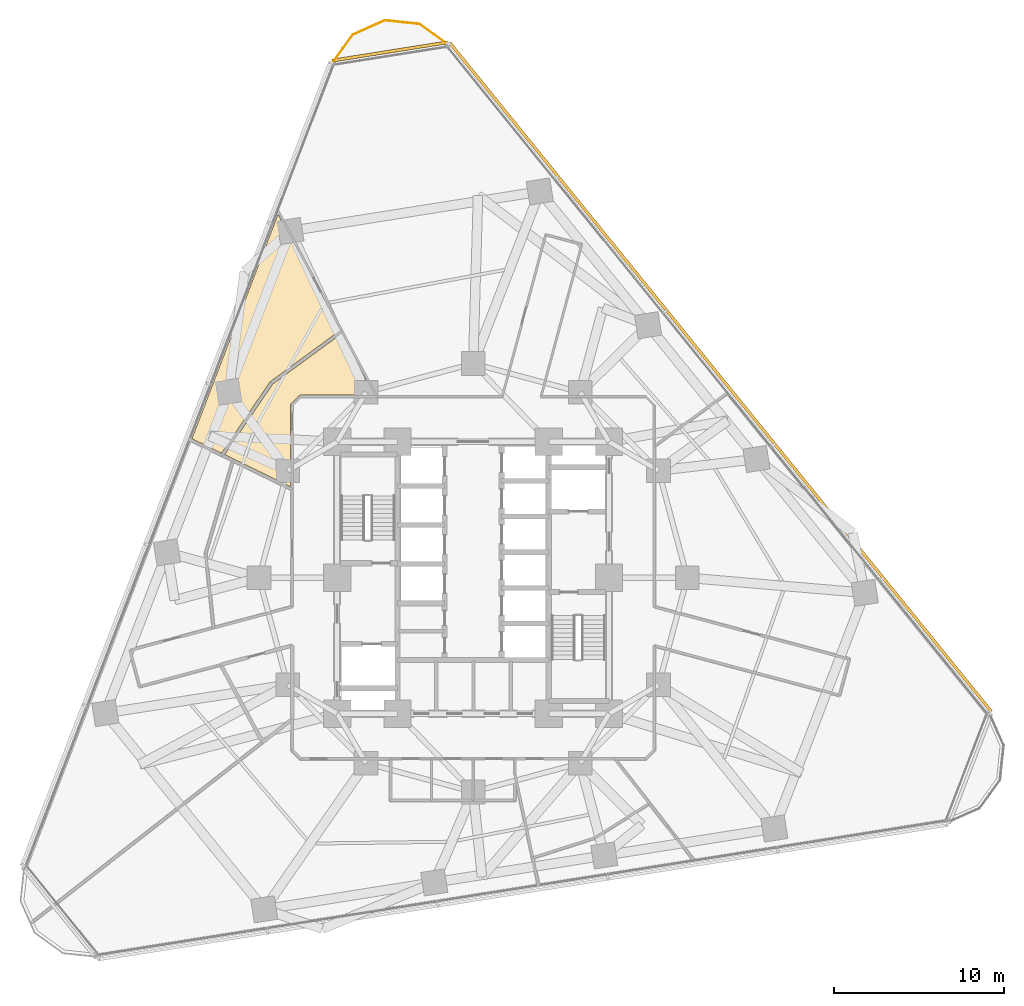
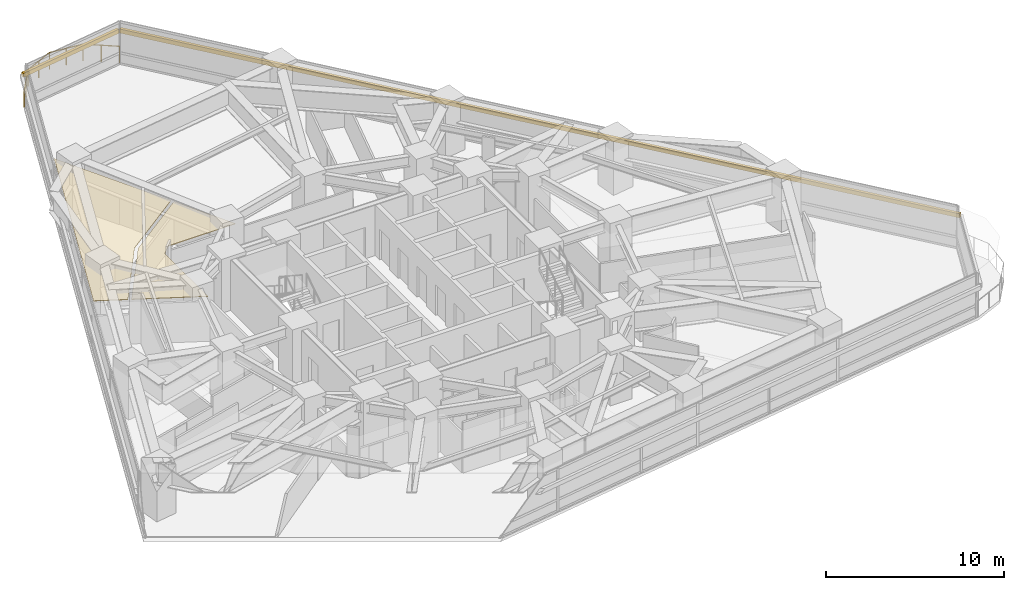
# One storey, part 13 of 13: 2 coverings, 2 shading devices, 1 railing.
"""IFC4 building model written with IfcOpenShell, lengths in metres."""

from ifc_helpers import new_model, si_unit, direction, frame, origin, origin_2d, place, context, subcontext, project, spatial, polyline, rectangle, circle, outline, extrude, material, layer, layer_set, type_object, element, save


model = new_model("IFC4")

# Units and contexts
model_context = context("Model", 3, precision=1e-05, world=origin(), true_north=direction((0.0, 1.0)))
body_context = subcontext(model_context, "Body", "Model", "MODEL_VIEW")
ifc_project = project(units=[si_unit("LENGTHUNIT", "METRE"), si_unit("AREAUNIT", "SQUARE_METRE"), si_unit("VOLUMEUNIT", "CUBIC_METRE"), si_unit("PLANEANGLEUNIT", "RADIAN"), si_unit("MASSUNIT", "GRAM", prefix="KILO")], contexts=[model_context])

# Site, building, storey
site_placement = place(None, origin())
site = spatial("IfcSite", under=ifc_project, at=site_placement, CompositionType="ELEMENT")
building_placement = place(site_placement, origin())
building = spatial("IfcBuilding", under=site, at=building_placement, Name="Terralouvre Media Tower", CompositionType="ELEMENT")
storey_placement = place(building_placement, frame((0.0, 0.0, 81.5)))
storey = spatial("IfcBuildingStorey", under=building, at=storey_placement, Name="L20", CompositionType="ELEMENT", Elevation=81.5)

# Coverings
ifc_material_1 = material(Name="Perforated aluminium acoustic ceiling baffle", Category="aluminium")
ifc_layer_1 = layer(ifc_material_1, 0.0400390625, Name="Perforated Acoustic Metal Tile Ceiling CL-AC1")
ifc_layer_set_1 = layer_set([ifc_layer_1], Name="Perforated aluminium acoustic ceiling baffle")
covering_type = type_object("IfcCoveringType", Name="Perforated Acoustic Metal Tile Ceiling CL-AC1", PredefinedType="CEILING", material=ifc_layer_set_1)
covering_1_placement = place(storey_placement, frame((0.0, 0.0, 2.93994140625), z_axis=(0.0, 0.0, 1.0), x_axis=(0.987688340595, 0.15643446504, 0.0)))
element("IfcCovering", 1, at=covering_1_placement, inside=storey, type_object=covering_type, Name="L20 Overnight Crew Room 9 Acoustic Ceiling", PredefinedType="CEILING", context=body_context, shape_type="SweptSolid", body=[
    extrude(outline(polyline([(-10.002685546875, 13.24609375), (-9.994384765625, 13.25390625), (-9.9853515625, 13.2607421875), (-9.9755859375, 13.266357421875), (-5.47216796875, 15.58544921875), (-7.994873046875, 22.909912109375), (-15.062255859375, 10.668212890625), (-13.473876953125, 9.55615234375), (-10.002685546875, 13.24609375)])), origin(), (0.0, 0.0, 1.0), 0.0400390625),
])
covering_2_placement = place(storey_placement, frame((0.0, 0.0, 2.93994140625), z_axis=(0.0, 0.0, 1.0), x_axis=(0.987688340595, 0.15643446504, 0.0)))
element("IfcCovering", 2, at=covering_2_placement, inside=storey, type_object=covering_type, Name="L20 ASEAN Regional Bureau Open Office 10 Acoustic Ceiling", PredefinedType="CEILING", context=body_context, shape_type="SweptSolid", body=[
    extrude(outline(polyline([(-9.86865234375, 13.096435546875), (-13.308349609375, 9.4404296875), (-12.823486328125, 9.10107421875), (-9.780029296875, 6.9697265625), (-9.02978515625, 11.706787109375), (-9.02783203125, 11.71630859375), (-9.02490234375, 11.7255859375), (-9.02099609375, 11.734619140625), (-9.016357421875, 11.743408203125), (-9.0107421875, 11.75146484375), (-9.00439453125, 11.759033203125), (-8.99755859375, 11.765869140625), (-8.98974609375, 11.77197265625), (-8.417724609375, 12.1875), (-8.409423828125, 12.19287109375), (-8.40087890625, 12.197509765625), (-8.391845703125, 12.201171875), (-8.38232421875, 12.203857421875), (-8.372802734375, 12.205810546875), (-8.363037109375, 12.20654296875), (-8.35302734375, 12.20654296875), (-8.34326171875, 12.20556640625), (-4.075927734375, 11.529541015625), (-5.406494140625, 15.394287109375), (-9.86865234375, 13.096435546875)])), origin(), (0.0, 0.0, 1.0), 0.0400390625),
])

# Railing
ifc_material_2 = material(Name="Stainless steel 316 handrail and balustrade", Category="steel")
ifc_layer_2 = layer(ifc_material_2, 0.06005859375, Name="Roof Edge Safety Guardrail GR-ROOF1")
ifc_layer_set_2 = layer_set([ifc_layer_2], Name="Stainless steel 316 handrail and balustrade")
railing_type = type_object("IfcRailingType", Name="Roof Edge Safety Guardrail GR-ROOF1", PredefinedType="GUARDRAIL", material=ifc_layer_set_2)
railing_placement = place(storey_placement, frame((-1.47998046875, 31.36669921875, 0.0)))
element("IfcRailing", 3, at=railing_placement, inside=storey, type_object=railing_type, Name="L20 Wind-Corner Perimeter Safety Guardrail C2", PredefinedType="GUARDRAIL", context=body_context, shape_type="SweptSolid", body=[
    extrude(circle(Radius=0.02099609375, at=origin_2d()), frame((0.0, 0.0, 1.12890625), z_axis=(-0.808843708148, 0.588023686419, 0.0), x_axis=(-0.588023686419, -0.808843708148, 0.0)), (0.0, 0.0, 1.0), 2.059814453125),
    extrude(circle(Radius=0.02099609375, at=origin_2d()), frame((-1.666015625, 1.211181640625, 1.12890625), z_axis=(-0.994517140727, 0.104573690763, 0.0), x_axis=(-0.104573690763, -0.994517140727, 0.0)), (0.0, 0.0, 1.0), 2.05908203125),
    extrude(circle(Radius=0.02099609375, at=origin_2d()), frame((-3.7138671875, 1.426513671875, 1.12890625), z_axis=(-0.913542473205, -0.406743346167, 0.0), x_axis=(0.406743346167, -0.913542473205, 0.0)), (0.0, 0.0, 1.0), 2.059326171875),
    extrude(circle(Radius=0.02099609375, at=origin_2d()), frame((-5.59521484375, 0.5888671875, 1.12890625), z_axis=(-0.587544282361, -0.80919201446, 0.0), x_axis=(0.80919201446, -0.587544282361, 0.0)), (0.0, 0.0, 1.0), 2.059814453125),
    extrude(circle(Radius=0.01904296875, at=origin_2d()), origin(), (0.0, 0.0, 1.0), 1.10791015625),
    extrude(circle(Radius=0.01904296875, at=origin_2d()), frame((-0.8330078125, 0.60546875, 0.0)), (0.0, 0.0, 1.0), 1.10791015625),
    extrude(circle(Radius=0.01904296875, at=origin_2d()), frame((-1.666015625, 1.211181640625, 0.0)), (0.0, 0.0, 1.0), 1.10791015625),
    extrude(circle(Radius=0.01904296875, at=origin_2d()), frame((-2.68994140625, 1.31884765625, 0.0)), (0.0, 0.0, 1.0), 1.10791015625),
    extrude(circle(Radius=0.01904296875, at=origin_2d()), frame((-3.7138671875, 1.426513671875, 0.0)), (0.0, 0.0, 1.0), 1.10791015625),
    extrude(circle(Radius=0.01904296875, at=origin_2d()), frame((-4.654541015625, 1.0078125, 0.0)), (0.0, 0.0, 1.0), 1.10791015625),
    extrude(circle(Radius=0.01904296875, at=origin_2d()), frame((-5.59521484375, 0.5888671875, 0.0)), (0.0, 0.0, 1.0), 1.10791015625),
    extrude(circle(Radius=0.01904296875, at=origin_2d()), frame((-6.2001953125, -0.24462890625, 0.0)), (0.0, 0.0, 1.0), 1.10791015625),
    extrude(circle(Radius=0.01904296875, at=origin_2d()), frame((-6.805419921875, -1.077880859375, 0.0)), (0.0, 0.0, 1.0), 1.10791015625),
])

# Shading devices
ifc_material_3 = material(Name="Extruded terracotta baguette sunshade louvres", Category="masonry")
shading_device_type = type_object("IfcShadingDeviceType", Name="Terracotta Baguette Sunshade Louvre Screen TB-LV1", PredefinedType="USERDEFINED", material=ifc_material_3)
shading_device_1_placement = place(storey_placement, frame((14.5625, 11.79248046875, 1.9990234375), z_axis=(0.0, 0.0, 1.0), x_axis=(-0.629320350521, 0.777145994276, 0.0)))
element("IfcShadingDevice", 4, at=shading_device_1_placement, inside=storey, type_object=shading_device_type, Name="CW-L20-F1 Terracotta Baguette Sunshade Louvre", ObjectType="BAGUETTE", PredefinedType="USERDEFINED", context=body_context, shape_type="SweptSolid", body=[
    extrude(rectangle(XDim=50.639892578125, YDim=0.179931640625, at=origin_2d()), origin(), (0.0, 0.0, 1.0), 0.280029296875),
])
shading_device_2_placement = place(storey_placement, frame((-4.90380859375, 30.961181640625, 1.9990234375), z_axis=(0.0, 0.0, 1.0), x_axis=(-0.987688353034, -0.156434386502, 0.0)))
element("IfcShadingDevice", 5, at=shading_device_2_placement, inside=storey, type_object=shading_device_type, Name="CW-L20-C2 Terracotta Baguette Sunshade Louvre", ObjectType="BAGUETTE", PredefinedType="USERDEFINED", context=body_context, shape_type="SweptSolid", body=[
    extrude(rectangle(XDim=6.8935546875, YDim=0.179931640625, at=origin_2d()), origin(), (0.0, 0.0, 1.0), 0.280029296875),
])

save(model, "model.ifc")
